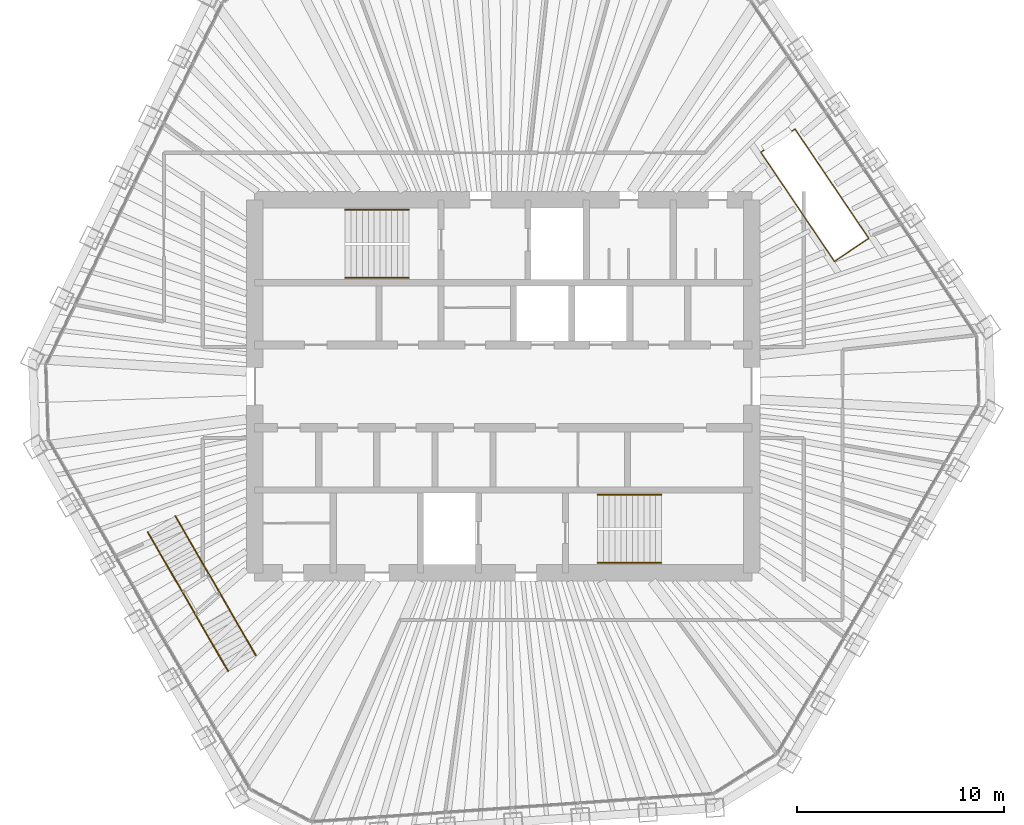
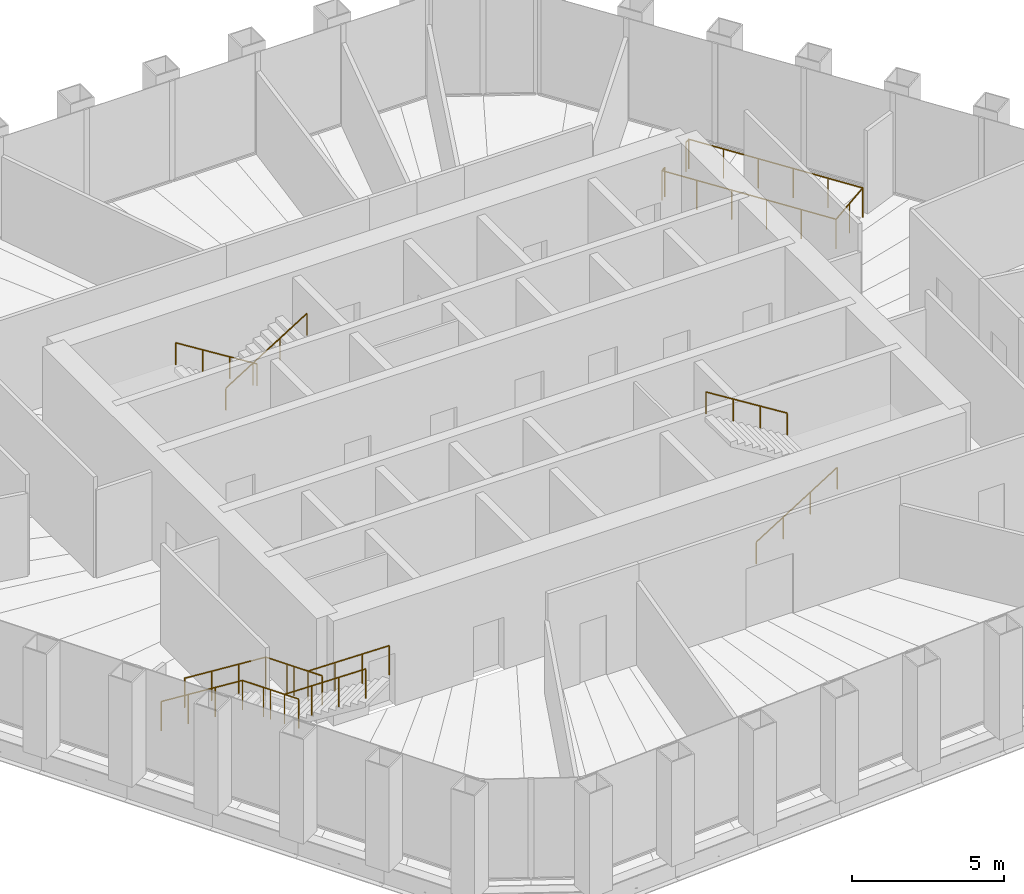
# One storey, part 17 of 17: 9 railings.
"""IFC4 building model written with IfcOpenShell, lengths in metres."""

import ifcopenshell
import ifcopenshell.guid

model = None  # the IFC model being written
_history = None  # IfcOwnerHistory: only IFC2X3 demands one
_inside = {}  # id of a spatial element -> (the spatial element, [elements in it])
_under = {}  # id of a project, library or spatial element -> (it, [spatial elements below it])
_declared = {}  # id of a project -> (the project, [libraries it declares])
_typed = {}  # id of a type object -> (the type object, [elements of that type])
_made_of = {}  # id of a material, layer set ... -> (it, [elements and type objects made of it])


def new_model(schema):
    """Start an empty IFC model of exactly this schema.

    Asked for "IFC4X3", IfcOpenShell would pick the latest addendum, in which some entities
    have other attributes; the version numbers below select the first issue.
    IFC2X3 requires an IfcOwnerHistory on every rooted entity: one is made here for all.
    """
    global model, _history
    if schema == "IFC4X3":
        model = ifcopenshell.file(schema_version=(4, 3, 0, 0))
    else:
        model = ifcopenshell.file(schema=schema)
    _inside.clear()
    _under.clear()
    _declared.clear()
    _typed.clear()
    _made_of.clear()
    _history = None
    if model.schema == "IFC2X3":
        org = make("IfcOrganization", Name="unknown")
        user = make(
            "IfcPersonAndOrganization",
            ThePerson=make("IfcPerson", FamilyName="unknown"),
            TheOrganization=org,
        )
        app = make(
            "IfcApplication",
            ApplicationDeveloper=org,
            Version="unknown",
            ApplicationFullName="unknown",
            ApplicationIdentifier="unknown",
        )
        _history = make(
            "IfcOwnerHistory",
            OwningUser=user,
            OwningApplication=app,
            ChangeAction="ADDED",
            CreationDate=0,
        )
    return model


def make(cls, **values):
    """One entity of the class cls with the attributes given. An attribute that is None is left unset."""
    return model.create_entity(
        cls, **{name: value for name, value in values.items() if value is not None}
    )


def rooted(cls, **values):
    """An entity with a GlobalId (a new one), such as an element, a storey or a relation."""
    return make(cls, GlobalId=ifcopenshell.guid.new(), OwnerHistory=_history, **values)


def si_unit(unit_type, name, prefix=None):
    """IfcSIUnit, for example si_unit("LENGTHUNIT", "METRE", prefix="MILLI")."""
    return make("IfcSIUnit", UnitType=unit_type, Prefix=prefix, Name=name)


def assignment(units):
    """IfcUnitAssignment: the units of a project."""
    return None if units is None else make("IfcUnitAssignment", Units=units)


def point(xyz):
    """IfcCartesianPoint."""
    return None if xyz is None else make("IfcCartesianPoint", Coordinates=xyz)


def direction(xyz):
    """IfcDirection."""
    return None if xyz is None else make("IfcDirection", DirectionRatios=xyz)


def frame(location, z_axis=None, x_axis=None):
    """IfcAxis2Placement3D, a coordinate frame: its origin and axes. An axis left out is left unset."""
    return make(
        "IfcAxis2Placement3D",
        Location=point(location),
        Axis=direction(z_axis),
        RefDirection=direction(x_axis),
    )


def frame_2d(location, x_axis=None):
    """IfcAxis2Placement2D, a coordinate frame in the plane: its origin and x axis."""
    return make(
        "IfcAxis2Placement2D", Location=point(location), RefDirection=direction(x_axis)
    )


def origin():
    """The frame at (0, 0, 0) with its axes left unset."""
    return frame((0.0, 0.0, 0.0))


def origin_2d():
    """The frame at (0, 0) in the plane with its x axis left unset."""
    return frame_2d((0.0, 0.0))


def place(relative_to, where):
    """IfcLocalPlacement: puts the frame where relative to a parent placement (None: the world)."""
    return make(
        "IfcLocalPlacement", PlacementRelTo=relative_to, RelativePlacement=where
    )


def context(
    kind, dimensions, precision=None, world=None, true_north=None, identifier=None
):
    """IfcGeometricRepresentationContext, for example the 3D "Model" context."""
    return make(
        "IfcGeometricRepresentationContext",
        ContextIdentifier=identifier,
        ContextType=kind,
        CoordinateSpaceDimension=dimensions,
        Precision=precision,
        WorldCoordinateSystem=world,
        TrueNorth=true_north,
    )


def subcontext(parent, identifier, kind, view, scale=None):
    """IfcGeometricRepresentationSubContext, for example "Body" below "Model"."""
    return make(
        "IfcGeometricRepresentationSubContext",
        ContextIdentifier=identifier,
        ContextType=kind,
        ParentContext=parent,
        TargetScale=scale,
        TargetView=view,
    )


def project(units=None, contexts=None):
    """IfcProject with its units and contexts."""
    return rooted(
        "IfcProject",
        Name="project",
        RepresentationContexts=contexts,
        UnitsInContext=assignment(units),
    )


def spatial(cls, under=None, at=None, **own):
    """A site, building, storey or space (cls), placed at a placement, below another one or the project."""
    s = rooted(cls, ObjectPlacement=at, **own)
    if under is not None:
        _under.setdefault(under.id(), (under, []))[1].append(s)
    return s


def profile(cls, at=None, kind="AREA", **sizes):
    """A parametric profile (cls). Its sizes go by their IFC names, for example OverallWidth=200.0."""
    return make(cls, ProfileType=kind, Position=at, **sizes)


def circle(**sizes):
    """IfcCircleProfileDef."""
    return profile("IfcCircleProfileDef", **sizes)


def extrude(swept, where, along, depth):
    """IfcExtrudedAreaSolid: the profile swept, set in the frame where, extruded along a direction by depth."""
    return make(
        "IfcExtrudedAreaSolid",
        SweptArea=swept,
        Position=where,
        ExtrudedDirection=direction(along),
        Depth=depth,
    )


def shape(context_of_items, identifier, shape_type, items):
    """IfcShapeRepresentation: the items that make up one representation, for example the "Body"."""
    return make(
        "IfcShapeRepresentation",
        ContextOfItems=context_of_items,
        RepresentationIdentifier=identifier,
        RepresentationType=shape_type,
        Items=items,
    )


def material(Name=None, Category=None):
    """IfcMaterial."""
    return make("IfcMaterial", Name=Name, Category=Category)


def made_of(thing, what):
    """Note that an element or type object is made of a material, layer set ...; save() writes the relation."""
    if what is not None:
        _made_of.setdefault(what.id(), (what, []))[1].append(thing)
    return thing


def type_object(cls, material=None, **own):
    """A type object (cls), such as IfcWallType, which elements share."""
    return made_of(rooted(cls, **own), material)


def element(
    cls,
    number,
    at=None,
    inside=None,
    cuts=None,
    type_object=None,
    material=None,
    context=None,
    identifier="Body",
    shape_type=None,
    held_by="IfcProductDefinitionShape",
    body=None,
    shapes=None,
    **own,
):
    """One element of the class cls, such as IfcWall. Its Tag is "e" and its number.

    at: its placement. inside: the storey or other place that contains it. cuts: it is an
    opening in that element (IfcRelVoidsElement). A single representation is given by context,
    identifier, shape_type and body (its items); several are given by shapes. held_by: the class
    of the entity that holds the representations. save() writes the other relations.
    """
    e = rooted(cls, Tag="e%d" % number, ObjectPlacement=at, **own)
    if body is not None:
        shapes = [shape(context, identifier, shape_type, body)]
    if shapes is not None:
        e.Representation = make(held_by, Representations=shapes)
    if inside is not None:
        _inside.setdefault(inside.id(), (inside, []))[1].append(e)
    if cuts is not None:
        rooted(
            "IfcRelVoidsElement", RelatingBuildingElement=cuts, RelatedOpeningElement=e
        )
    if type_object is not None:
        _typed.setdefault(type_object.id(), (type_object, []))[1].append(e)
    return made_of(e, material)


def aggregate(whole, parts):
    """IfcRelAggregates: a whole, such as a stair, and the parts it consists of."""
    return rooted("IfcRelAggregates", RelatingObject=whole, RelatedObjects=parts)


def save(model, path):
    """Write the relations noted so far, then the file.

    IfcRelAggregates (storeys below a building ...), IfcRelContainedInSpatialStructure (elements
    in a storey), IfcRelDefinesByType, IfcRelAssociatesMaterial and IfcRelDeclares: one each for
    every whole, place, type object, material and project.
    """
    for whole, parts in _under.values():
        aggregate(whole, parts)
    for where, things in _inside.values():
        rooted(
            "IfcRelContainedInSpatialStructure",
            RelatedElements=things,
            RelatingStructure=where,
        )
    for kind, things in _typed.values():
        rooted("IfcRelDefinesByType", RelatedObjects=things, RelatingType=kind)
    for what, things in _made_of.values():
        rooted("IfcRelAssociatesMaterial", RelatedObjects=things, RelatingMaterial=what)
    for by, libraries in _declared.values():
        rooted("IfcRelDeclares", RelatingContext=by, RelatedDefinitions=libraries)
    model.write(path)


model = new_model("IFC4")

# Units and contexts
model_context = context("Model", 3, precision=1e-05, world=origin(), true_north=direction((0.0, 1.0)))
body_context = subcontext(model_context, "Body", "Model", "MODEL_VIEW")
ifc_project = project(units=[si_unit("LENGTHUNIT", "METRE"), si_unit("AREAUNIT", "SQUARE_METRE"), si_unit("VOLUMEUNIT", "CUBIC_METRE"), si_unit("PLANEANGLEUNIT", "RADIAN"), si_unit("MASSUNIT", "GRAM", prefix="KILO")], contexts=[model_context])

# Site, building, storey
site_placement = place(None, origin())
site = spatial("IfcSite", under=ifc_project, at=site_placement, CompositionType="ELEMENT")
building_placement = place(site_placement, origin())
building = spatial("IfcBuilding", under=site, at=building_placement, Name="Qingtian Harvest Tower", CompositionType="ELEMENT")
storey_placement = place(building_placement, frame((0.0, 0.0, 329.199951171875)))
storey = spatial("IfcBuildingStorey", under=building, at=storey_placement, Name="L73", CompositionType="ELEMENT", Elevation=329.199951171875)

# Railings
ifc_material_1 = material(Name="Laminated glass balustrade with steel handrail", Category="steel")
railing_type_1 = type_object("IfcRailingType", Name="Glass balustrade BG1 1200", PredefinedType="BALUSTRADE", material=ifc_material_1)
railing_1_placement = place(storey_placement, frame((12.589111328125, 11.41064453125, 0.0)))
element("IfcRailing", 1, at=railing_1_placement, inside=storey, type_object=railing_type_1, Name="Feature stair opening guard FS5", PredefinedType="BALUSTRADE", context=body_context, shape_type="SweptSolid", body=[
    extrude(circle(Radius=0.02392578125, at=origin_2d()), frame((0.0, 0.0, 1.17578125), z_axis=(-0.829032638423, -0.559200218553, 0.0), x_axis=(0.559200218553, -0.829032638423, 0.0)), (0.0, 0.0, 1.0), 0.199951171875),
    extrude(circle(Radius=0.02392578125, at=origin_2d()), frame((-0.165771484375, -0.11181640625, 1.17578125), z_axis=(0.559201189983, -0.829031983172, 0.0), x_axis=(0.829031983172, 0.559201189983, 0.0)), (0.0, 0.0, 1.0), 6.35986328125),
    extrude(circle(Radius=0.02392578125, at=origin_2d()), frame((3.390625, -5.38427734375, 1.17578125), z_axis=(0.829108975345, 0.5590870299, 0.0), x_axis=(-0.5590870299, 0.829108975345, 0.0)), (0.0, 0.0, 1.0), 2.0),
    extrude(circle(Radius=0.02392578125, at=origin_2d()), frame((5.048828125, -4.26611328125, 1.17578125), z_axis=(-0.559209776877, 0.829026191049, 0.0), x_axis=(-0.829026191049, -0.559209776877, 0.0)), (0.0, 0.0, 1.0), 6.360107421875),
    extrude(circle(Radius=0.02392578125, at=origin_2d()), frame((1.4921875, 1.006591796875, 1.17578125), z_axis=(-0.829032638423, -0.559200218553, 0.0), x_axis=(0.559200218553, -0.829032638423, 0.0)), (0.0, 0.0, 1.0), 0.199951171875),
    extrude(circle(Radius=0.02099609375, at=origin_2d()), origin(), (0.0, 0.0, 1.0), 1.15185546875),
    extrude(circle(Radius=0.02099609375, at=origin_2d()), frame((-0.165771484375, -0.11181640625, 0.0)), (0.0, 0.0, 1.0), 1.15185546875),
    extrude(circle(Radius=0.02099609375, at=origin_2d()), frame((0.54541015625, -1.166259765625, 0.0)), (0.0, 0.0, 1.0), 1.15185546875),
    extrude(circle(Radius=0.02099609375, at=origin_2d()), frame((1.2568359375, -2.220703125, 0.0)), (0.0, 0.0, 1.0), 1.15185546875),
    extrude(circle(Radius=0.02099609375, at=origin_2d()), frame((1.968017578125, -3.275390625, 0.0)), (0.0, 0.0, 1.0), 1.15185546875),
    extrude(circle(Radius=0.02099609375, at=origin_2d()), frame((2.679443359375, -4.329833984375, 0.0)), (0.0, 0.0, 1.0), 1.15185546875),
    extrude(circle(Radius=0.02099609375, at=origin_2d()), frame((3.390625, -5.38427734375, 0.0)), (0.0, 0.0, 1.0), 1.15185546875),
    extrude(circle(Radius=0.02099609375, at=origin_2d()), frame((4.2197265625, -4.8251953125, 0.0)), (0.0, 0.0, 1.0), 1.15185546875),
    extrude(circle(Radius=0.02099609375, at=origin_2d()), frame((5.048828125, -4.26611328125, 0.0)), (0.0, 0.0, 1.0), 1.15185546875),
    extrude(circle(Radius=0.02099609375, at=origin_2d()), frame((4.33740234375, -3.211669921875, 0.0)), (0.0, 0.0, 1.0), 1.15185546875),
    extrude(circle(Radius=0.02099609375, at=origin_2d()), frame((3.626220703125, -2.156982421875, 0.0)), (0.0, 0.0, 1.0), 1.15185546875),
    extrude(circle(Radius=0.02099609375, at=origin_2d()), frame((2.914794921875, -1.1025390625, 0.0)), (0.0, 0.0, 1.0), 1.15185546875),
    extrude(circle(Radius=0.02099609375, at=origin_2d()), frame((2.20361328125, -0.0478515625, 0.0)), (0.0, 0.0, 1.0), 1.15185546875),
    extrude(circle(Radius=0.02099609375, at=origin_2d()), frame((1.4921875, 1.006591796875, 0.0)), (0.0, 0.0, 1.0), 1.15185546875),
    extrude(circle(Radius=0.02099609375, at=origin_2d()), frame((1.326416015625, 0.894775390625, 0.0)), (0.0, 0.0, 1.0), 1.15185546875),
])
railing_2_placement = place(storey_placement, frame((-17.15673828125, -7.02490234375, 0.175048828125)))
element("IfcRailing", 2, at=railing_2_placement, inside=storey, type_object=railing_type_1, Name="Feature stair balustrade FS6", PredefinedType="BALUSTRADE", context=body_context, shape_type="SweptSolid", body=[
    extrude(circle(Radius=0.02392578125, at=origin_2d()), frame((0.0, 0.0, 1.17578125), z_axis=(0.423960268333, -0.734384958227, 0.530034361155), x_axis=(0.866044340336, 0.499967199496, 0.0)), (0.0, 0.0, 1.0), 3.6318359375),
    extrude(circle(Radius=0.02392578125, at=origin_2d()), frame((1.539794921875, -2.667236328125, 3.10107421875), z_axis=(0.499995408039, -0.866028054938, 0.0), x_axis=(0.866028054938, 0.499995408039, 0.0)), (0.0, 0.0, 1.0), 1.60009765625),
    extrude(circle(Radius=0.02392578125, at=origin_2d()), frame((2.33984375, -4.052978515625, 3.10107421875), z_axis=(0.413141174961, -0.715530649405, 0.56332074284), x_axis=(0.866010015463, 0.500026652407, 0.0)), (0.0, 0.0, 1.0), 3.7275390625),
    extrude(circle(Radius=0.02099609375, at=origin_2d()), origin(), (0.0, 0.0, 1.0), 1.15185546875),
    extrude(circle(Radius=0.02099609375, at=origin_2d()), frame((0.51318359375, -0.88916015625, 0.6416015625)), (0.0, 0.0, 1.0), 1.15185546875),
    extrude(circle(Radius=0.02099609375, at=origin_2d()), frame((1.026611328125, -1.778076171875, 1.283447265625)), (0.0, 0.0, 1.0), 1.15185546875),
    extrude(circle(Radius=0.02099609375, at=origin_2d()), frame((1.539794921875, -2.667236328125, 1.925048828125)), (0.0, 0.0, 1.0), 1.15185546875),
    extrude(circle(Radius=0.02099609375, at=origin_2d()), frame((1.93994140625, -3.360107421875, 1.925048828125)), (0.0, 0.0, 1.0), 1.15185546875),
    extrude(circle(Radius=0.02099609375, at=origin_2d()), frame((2.33984375, -4.052978515625, 1.925048828125)), (0.0, 0.0, 1.0), 1.15185546875),
    extrude(circle(Radius=0.02099609375, at=origin_2d()), frame((2.853271484375, -4.942138671875, 2.625)), (0.0, 0.0, 1.0), 1.15185546875),
    extrude(circle(Radius=0.02099609375, at=origin_2d()), frame((3.366455078125, -5.8310546875, 3.324951171875)), (0.0, 0.0, 1.0), 1.15185546875),
    extrude(circle(Radius=0.02099609375, at=origin_2d()), frame((3.8798828125, -6.72021484375, 4.02490234375)), (0.0, 0.0, 1.0), 1.15185546875),
])
railing_3_placement = place(storey_placement, frame((-15.8232421875, -6.2548828125, 0.175048828125)))
element("IfcRailing", 3, at=railing_3_placement, inside=storey, type_object=railing_type_1, Name="Feature stair balustrade FS6", PredefinedType="BALUSTRADE", context=body_context, shape_type="SweptSolid", body=[
    extrude(circle(Radius=0.02392578125, at=origin_2d()), frame((0.0, 0.0, 1.17578125), z_axis=(0.424015404183, -0.734364028329, 0.530019255228), x_axis=(0.866010015463, 0.500026652407, 0.0)), (0.0, 0.0, 1.0), 3.632080078125),
    extrude(circle(Radius=0.02392578125, at=origin_2d()), frame((1.5400390625, -2.667236328125, 3.10107421875), z_axis=(0.499995408039, -0.866028054938, 0.0), x_axis=(0.866028054938, 0.499995408039, 0.0)), (0.0, 0.0, 1.0), 1.60009765625),
    extrude(circle(Radius=0.02392578125, at=origin_2d()), frame((2.340087890625, -4.052978515625, 3.10107421875), z_axis=(0.413141174961, -0.715530649405, 0.56332074284), x_axis=(0.866010015463, 0.500026652407, 0.0)), (0.0, 0.0, 1.0), 3.7275390625),
    extrude(circle(Radius=0.02099609375, at=origin_2d()), origin(), (0.0, 0.0, 1.0), 1.15185546875),
    extrude(circle(Radius=0.02099609375, at=origin_2d()), frame((0.513427734375, -0.88916015625, 0.6416015625)), (0.0, 0.0, 1.0), 1.15185546875),
    extrude(circle(Radius=0.02099609375, at=origin_2d()), frame((1.026611328125, -1.778076171875, 1.283447265625)), (0.0, 0.0, 1.0), 1.15185546875),
    extrude(circle(Radius=0.02099609375, at=origin_2d()), frame((1.5400390625, -2.667236328125, 1.925048828125)), (0.0, 0.0, 1.0), 1.15185546875),
    extrude(circle(Radius=0.02099609375, at=origin_2d()), frame((1.93994140625, -3.360107421875, 1.925048828125)), (0.0, 0.0, 1.0), 1.15185546875),
    extrude(circle(Radius=0.02099609375, at=origin_2d()), frame((2.340087890625, -4.052978515625, 1.925048828125)), (0.0, 0.0, 1.0), 1.15185546875),
    extrude(circle(Radius=0.02099609375, at=origin_2d()), frame((2.853515625, -4.942138671875, 2.625)), (0.0, 0.0, 1.0), 1.15185546875),
    extrude(circle(Radius=0.02099609375, at=origin_2d()), frame((3.36669921875, -5.8310546875, 3.324951171875)), (0.0, 0.0, 1.0), 1.15185546875),
    extrude(circle(Radius=0.02099609375, at=origin_2d()), frame((3.880126953125, -6.72021484375, 4.02490234375)), (0.0, 0.0, 1.0), 1.15185546875),
])
ifc_material_2 = material(Name="Bronze-finished steel guard", Category="steel")
railing_type_2 = type_object("IfcRailingType", Name="Guard GR1 1200", PredefinedType="GUARDRAIL", material=ifc_material_2)
for number, where, name in (
    (4, (-15.616943359375, -9.692138671875, 2.10009765625), "Feature stair landing guard FS6"),
    (5, (-14.283203125, -8.922119140625, 2.10009765625), "Feature stair landing guard FS6"),
):
    element("IfcRailing", number, at=place(storey_placement, frame(where)), inside=storey, type_object=railing_type_2, Name=name, PredefinedType="GUARDRAIL", context=body_context, shape_type="SweptSolid", body=[
        extrude(circle(Radius=0.02392578125, at=origin_2d()), frame((0.0, 0.0, 1.17578125), z_axis=(0.500012782786, -0.866018023513, 0.0), x_axis=(0.866018023513, 0.500012782786, 0.0)), (0.0, 0.0, 1.0), 2.13525390625),
        extrude(circle(Radius=0.02099609375, at=origin_2d()), origin(), (0.0, 0.0, 1.0), 1.15185546875),
        extrude(circle(Radius=0.02099609375, at=origin_2d()), frame((0.53369140625, -0.924560546875, 0.0)), (0.0, 0.0, 1.0), 1.15185546875),
        extrude(circle(Radius=0.02099609375, at=origin_2d()), frame((1.067626953125, -1.84912109375, 0.0)), (0.0, 0.0, 1.0), 1.15185546875),
    ])
ifc_material_3 = material(Name="Stainless steel handrail", Category="steel")
railing_type_3 = type_object("IfcRailingType", Name="Handrail HR1", PredefinedType="HANDRAIL", material=ifc_material_3)
railing_4_placement = place(storey_placement, frame((-4.550048828125, 8.52001953125, 0.175048828125)))
element("IfcRailing", 6, at=railing_4_placement, inside=storey, type_object=railing_type_3, Name="Handrail HR1 S1 flight 1", PredefinedType="HANDRAIL", context=body_context, shape_type="SweptSolid", body=[
    extrude(circle(Radius=0.02392578125, at=origin_2d()), frame((0.0, 0.0, 0.8759765625), z_axis=(-0.847979421464, 0.0, 0.530029150871), x_axis=(0.0, -1.0, 0.0)), (0.0, 0.0, 1.0), 3.632080078125),
    extrude(circle(Radius=0.02099609375, at=origin_2d()), origin(), (0.0, 0.0, 1.0), 0.851806640625),
    extrude(circle(Radius=0.02099609375, at=origin_2d()), frame((-1.026611328125, 0.0, 0.6416015625)), (0.0, 0.0, 1.0), 0.851806640625),
    extrude(circle(Radius=0.02099609375, at=origin_2d()), frame((-2.05322265625, 0.0, 1.283447265625)), (0.0, 0.0, 1.0), 0.851806640625),
    extrude(circle(Radius=0.02099609375, at=origin_2d()), frame((-3.079833984375, 0.0, 1.925048828125)), (0.0, 0.0, 1.0), 0.851806640625),
])
railing_5_placement = place(storey_placement, frame((-7.6298828125, 5.22998046875, 2.275146484375)))
element("IfcRailing", 7, at=railing_5_placement, inside=storey, type_object=railing_type_3, Name="Handrail HR1 S1 flight 2", PredefinedType="HANDRAIL", context=body_context, shape_type="SweptSolid", body=[
    extrude(circle(Radius=0.02392578125, at=origin_2d()), frame((0.0, 0.0, 0.8759765625), z_axis=(0.848009633417, 0.0, 0.529980812513), x_axis=(0.0, 1.0, 0.0)), (0.0, 0.0, 1.0), 3.6318359375),
    extrude(circle(Radius=0.02099609375, at=origin_2d()), origin(), (0.0, 0.0, 1.0), 0.851806640625),
    extrude(circle(Radius=0.02099609375, at=origin_2d()), frame((1.026611328125, 0.0, 0.6416015625)), (0.0, 0.0, 1.0), 0.851806640625),
    extrude(circle(Radius=0.02099609375, at=origin_2d()), frame((2.05322265625, 0.0, 1.283203125)), (0.0, 0.0, 1.0), 0.851806640625),
    extrude(circle(Radius=0.02099609375, at=origin_2d()), frame((3.079833984375, 0.0, 1.9248046875)), (0.0, 0.0, 1.0), 0.851806640625),
])
railing_6_placement = place(storey_placement, frame((4.550048828125, -8.52001953125, 0.175048828125)))
element("IfcRailing", 8, at=railing_6_placement, inside=storey, type_object=railing_type_3, Name="Handrail HR1 S2 flight 1", PredefinedType="HANDRAIL", context=body_context, shape_type="SweptSolid", body=[
    extrude(circle(Radius=0.02392578125, at=origin_2d()), frame((0.0, 0.0, 0.8759765625), z_axis=(0.847979421464, 0.0, 0.530029150871), x_axis=(0.0, 1.0, 0.0)), (0.0, 0.0, 1.0), 3.632080078125),
    extrude(circle(Radius=0.02099609375, at=origin_2d()), origin(), (0.0, 0.0, 1.0), 0.851806640625),
    extrude(circle(Radius=0.02099609375, at=origin_2d()), frame((1.026611328125, 0.0, 0.6416015625)), (0.0, 0.0, 1.0), 0.851806640625),
    extrude(circle(Radius=0.02099609375, at=origin_2d()), frame((2.05322265625, 0.0, 1.283447265625)), (0.0, 0.0, 1.0), 0.851806640625),
    extrude(circle(Radius=0.02099609375, at=origin_2d()), frame((3.079833984375, 0.0, 1.925048828125)), (0.0, 0.0, 1.0), 0.851806640625),
])
railing_7_placement = place(storey_placement, frame((7.6298828125, -5.22998046875, 2.275146484375)))
element("IfcRailing", 9, at=railing_7_placement, inside=storey, type_object=railing_type_3, Name="Handrail HR1 S2 flight 2", PredefinedType="HANDRAIL", context=body_context, shape_type="SweptSolid", body=[
    extrude(circle(Radius=0.02392578125, at=origin_2d()), frame((0.0, 0.0, 0.8759765625), z_axis=(-0.848009633417, 0.0, 0.529980812513), x_axis=(0.0, -1.0, 0.0)), (0.0, 0.0, 1.0), 3.6318359375),
    extrude(circle(Radius=0.02099609375, at=origin_2d()), origin(), (0.0, 0.0, 1.0), 0.851806640625),
    extrude(circle(Radius=0.02099609375, at=origin_2d()), frame((-1.026611328125, 0.0, 0.6416015625)), (0.0, 0.0, 1.0), 0.851806640625),
    extrude(circle(Radius=0.02099609375, at=origin_2d()), frame((-2.05322265625, 0.0, 1.283203125)), (0.0, 0.0, 1.0), 0.851806640625),
    extrude(circle(Radius=0.02099609375, at=origin_2d()), frame((-3.079833984375, 0.0, 1.9248046875)), (0.0, 0.0, 1.0), 0.851806640625),
])

save(model, "model.ifc")
